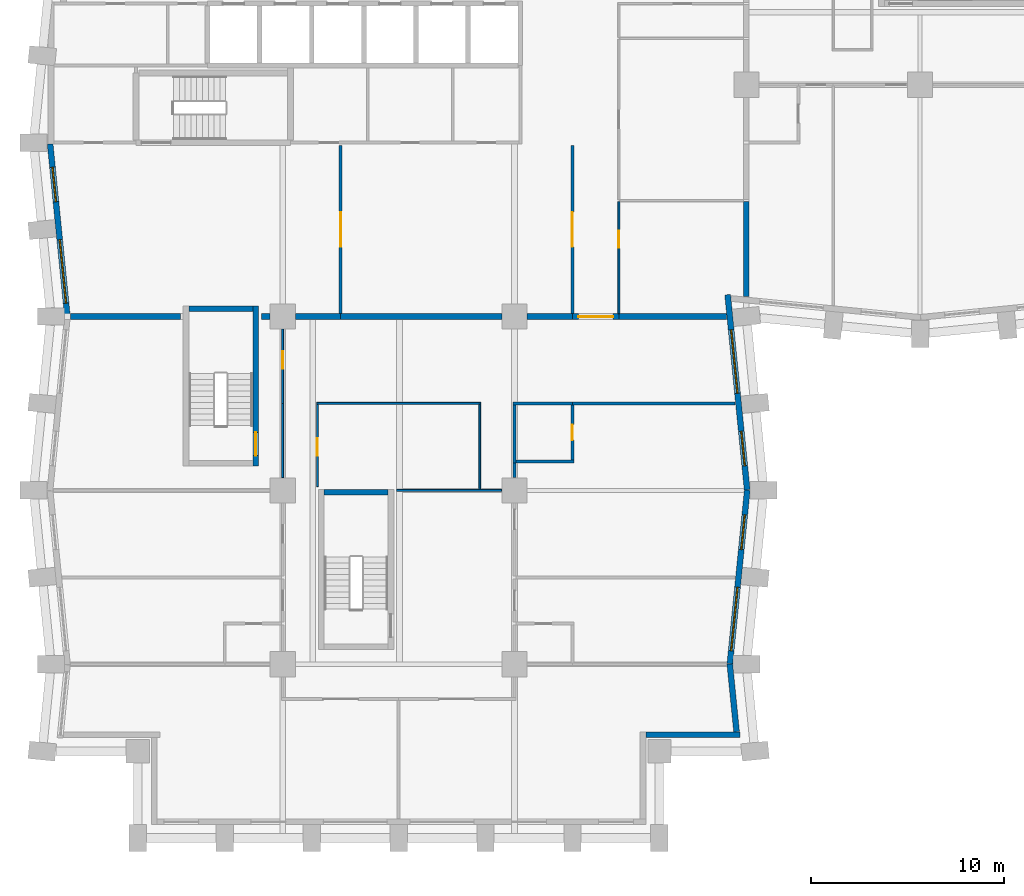
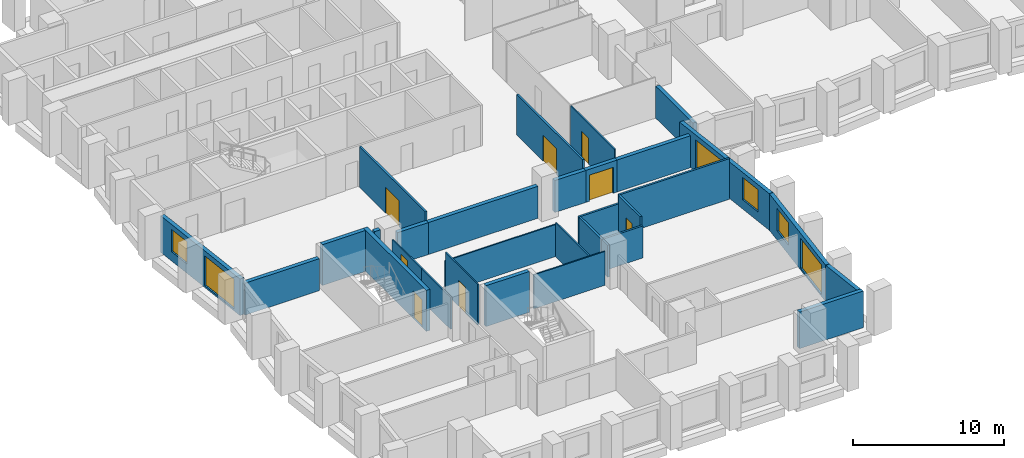
# One storey, part 4 of 12: 31 walls, 8 doors, 6 windows, 14 openings.
"""IFC4 building model written with IfcOpenShell, lengths in metres."""

from ifc_helpers import new_model, si_unit, direction, frame, frame_2d, origin, place, context, subcontext, project, spatial, rectangle, extrude, material, layer, layer_set, type_object, element, fill, save


model = new_model("IFC4")

# Units and contexts
model_context = context("Model", 3, precision=1e-05, world=origin(), true_north=direction((0.0, 1.0)))
body_context = subcontext(model_context, "Body", "Model", "MODEL_VIEW")
ifc_project = project(units=[si_unit("LENGTHUNIT", "METRE"), si_unit("AREAUNIT", "SQUARE_METRE"), si_unit("VOLUMEUNIT", "CUBIC_METRE"), si_unit("PLANEANGLEUNIT", "RADIAN"), si_unit("MASSUNIT", "GRAM", prefix="KILO")], contexts=[model_context])

# Site, building, storey
site_placement = place(None, origin())
site = spatial("IfcSite", under=ifc_project, at=site_placement, CompositionType="ELEMENT")
building_placement = place(site_placement, origin())
building = spatial("IfcBuilding", under=site, at=building_placement, Name="Brondeck Convention Tower", CompositionType="ELEMENT")
storey_placement = place(building_placement, frame((0.0, 0.0, 66.300048828125)))
storey = spatial("IfcBuildingStorey", under=building, at=storey_placement, Name="L14", CompositionType="ELEMENT", Elevation=66.300048828125)

# Walls
ifc_material_1 = material(Name="Concrete compartment wall C30/37", Category="concrete")
ifc_layer_1 = layer(ifc_material_1, 0.300048828125)
ifc_layer_set_1 = layer_set([ifc_layer_1], Name="Compartment wall 300")
wall_type_1 = type_object("IfcWallType", Name="Compartment wall 300", PredefinedType="PARTITIONING", material=ifc_layer_set_1)
wall_1_placement = place(storey_placement, frame((6.699951171875, 27.0, 0.0), z_axis=(0.0, 0.0, 1.0), x_axis=(-1.0, 0.0, 0.0)))
element("IfcWall", 1, at=wall_1_placement, inside=storey, type_object=wall_type_1, Name="FLR-L14-W035", PredefinedType="PARTITIONING", context=body_context, shape_type="SweptSolid", body=[
    extrude(rectangle(XDim=5.675048828125, YDim=0.300048828125, at=frame_2d((2.83740234375, 0.0))), origin(), (0.0, 0.0, 1.0), 2.579833984375),
])
wall_2_placement = place(storey_placement, frame((11.344970703125, 27.0, 0.0), z_axis=(0.0, 0.0, 1.0), x_axis=(-1.0, 0.0, 0.0)))
element("IfcWall", 2, at=wall_2_placement, inside=storey, type_object=wall_type_1, Name="FLR-L14-W036", PredefinedType="PARTITIONING", context=body_context, shape_type="SweptSolid", body=[
    extrude(rectangle(XDim=0.445068359375, YDim=0.300048828125, at=frame_2d((0.22265625, 0.0))), origin(), (0.0, 0.0, 1.0), 3.280029296875),
])
wall_3_placement = place(storey_placement, frame((15.0, 27.0, 0.0), z_axis=(0.0, 0.0, 1.0), x_axis=(-1.0, 0.0, 0.0)))
element("IfcWall", 3, at=wall_3_placement, inside=storey, type_object=wall_type_1, Name="FLR-L14-W037", PredefinedType="PARTITIONING", context=body_context, shape_type="SweptSolid", body=[
    extrude(rectangle(XDim=2.344970703125, YDim=0.300048828125, at=frame_2d((1.17236328125, 0.0))), origin(), (0.0, 0.0, 1.0), 2.579833984375),
])
wall_4_placement = place(storey_placement, frame((23.344970703125, 27.0, 0.0), z_axis=(0.0, 0.0, 1.0), x_axis=(-1.0, 0.0, 0.0)))
element("IfcWall", 4, at=wall_4_placement, inside=storey, type_object=wall_type_1, Name="FLR-L14-W038", PredefinedType="PARTITIONING", context=body_context, shape_type="SweptSolid", body=[
    extrude(rectangle(XDim=8.344970703125, YDim=0.300048828125, at=frame_2d((4.17236328125, 0.0))), origin(), (0.0, 0.0, 1.0), 2.579833984375),
])
wall_5_placement = place(storey_placement, frame((27.0, 27.0, 0.0), z_axis=(0.0, 0.0, 1.0), x_axis=(-1.0, 0.0, 0.0)))
element("IfcWall", 5, at=wall_5_placement, inside=storey, type_object=wall_type_1, Name="FLR-L14-W039", PredefinedType="PARTITIONING", context=body_context, shape_type="SweptSolid", body=[
    extrude(rectangle(XDim=2.344970703125, YDim=0.300048828125, at=frame_2d((1.17236328125, 0.0))), origin(), (0.0, 0.0, 1.0), 2.579833984375),
])

# Wall, opening, door
wall_6_placement = place(storey_placement, frame((29.39990234375, 27.0, 0.0), z_axis=(0.0, 0.0, 1.0), x_axis=(-1.0, 0.0, 0.0)))
wall_6 = element("IfcWall", 6, at=wall_6_placement, inside=storey, type_object=wall_type_1, Name="FLR-L14-W040", PredefinedType="PARTITIONING", context=body_context, shape_type="SweptSolid", body=[
    extrude(rectangle(XDim=2.39990234375, YDim=0.300048828125, at=frame_2d((1.199951171875, 0.0))), origin(), (0.0, 0.0, 1.0), 2.579833984375),
])
opening_1_placement = place(wall_6_placement, frame((0.300048828125, 0.0, 0.0)))
opening_1 = element("IfcOpeningElement", 7, at=opening_1_placement, cuts=wall_6, Name="Opening H3-042", PredefinedType="OPENING", context=body_context, shape_type="SweptSolid", body=[
    extrude(rectangle(XDim=1.800048828125, YDim=2.10009765625, at=frame_2d((0.89990234375, 1.050048828125))), frame((0.0, 0.159912109375, 0.0), z_axis=(0.0, -1.0, 0.0), x_axis=(1.0, 0.0, 0.0)), (0.0, 0.0, 1.0), 0.320068359375),
])
ifc_material_2 = material(Name="Steel fire door pair", Category="steel")
door_type_1 = type_object("IfcDoorType", Name="Fire door pair 1800", OperationType="DOUBLE_DOOR_SINGLE_SWING", PredefinedType="DOOR", material=ifc_material_2)
door_1_placement = place(opening_1_placement, origin())
door_1 = element("IfcDoor", 8, at=door_1_placement, inside=storey, type_object=door_type_1, Name="Door H3-042", OperationType="DOUBLE_DOOR_SINGLE_SWING", OverallHeight=2.10009765625, OverallWidth=1.800048828125, PredefinedType="DOOR", context=body_context, shape_type="SweptSolid", body=[
    extrude(rectangle(XDim=1.800048828125, YDim=2.10009765625, at=frame_2d((0.89990234375, 1.050048828125))), frame((0.0, 0.02490234375, 0.0), z_axis=(0.0, -1.0, 0.0), x_axis=(1.0, 0.0, 0.0)), (0.0, 0.0, 1.0), 0.050048828125),
])
fill(opening_1, door_1)

# Walls
wall_7_placement = place(storey_placement, frame((34.97509765625, 27.0, 0.0), z_axis=(0.0, 0.0, 1.0), x_axis=(-1.0, 0.0, 0.0)))
element("IfcWall", 9, at=wall_7_placement, inside=storey, type_object=wall_type_1, Name="FLR-L14-W041", PredefinedType="PARTITIONING", context=body_context, shape_type="SweptSolid", body=[
    extrude(rectangle(XDim=5.5751953125, YDim=0.300048828125, at=frame_2d((2.78759765625, 0.0))), origin(), (0.0, 0.0, 1.0), 2.579833984375),
])
wall_8_placement = place(storey_placement, frame((36.0, 32.949951171875, 0.0), z_axis=(0.0, 0.0, 1.0), x_axis=(0.0, -1.0, 0.0)))
element("IfcWall", 10, at=wall_8_placement, inside=storey, type_object=wall_type_1, Name="FLR-L14-W044", PredefinedType="PARTITIONING", context=body_context, shape_type="SweptSolid", body=[
    extrude(rectangle(XDim=4.925048828125, YDim=0.300048828125, at=frame_2d((2.46240234375, 0.0))), origin(), (0.0, 0.0, 1.0), 2.579833984375),
])
ifc_material_3 = material(Name="Precast concrete C50/60 bronze finish", Category="concrete")
ifc_layer_2 = layer(ifc_material_3, 0.070068359375, Name="Bronze precast facing")
ifc_material_4 = material(Name="Mineral wool")
ifc_layer_3 = layer(ifc_material_4, 0.159912109375, Name="Insulation")
ifc_material_5 = material(Name="Concrete C35/45", Category="concrete")
ifc_layer_4 = layer(ifc_material_5, 0.070068359375, Name="Backing")
ifc_layer_set_2 = layer_set([ifc_layer_2, ifc_layer_3, ifc_layer_4], Name="External infill wall, precast concrete C50/60 bronze facing")
wall_type_2 = type_object("IfcWallType", Name="External infill wall, precast concrete C50/60 bronze facing", PredefinedType="SOLIDWALL", material=ifc_layer_set_2)
wall_9_placement = place(storey_placement, frame((35.676513671875, 5.35009765625, 0.0), z_axis=(0.0, 0.0, 1.0), x_axis=(-1.0, 0.0, 0.0)))
element("IfcWall", 11, at=wall_9_placement, inside=storey, type_object=wall_type_2, Name="ENV-EW-L14-P0-NC-SEB0-02", PredefinedType="SOLIDWALL", context=body_context, shape_type="SweptSolid", body=[
    extrude(rectangle(XDim=4.87646484375, YDim=0.300048828125, at=frame_2d((2.438232421875, 0.0))), origin(), (0.0, 0.0, 1.0), 2.949951171875),
])
wall_10_placement = place(storey_placement, frame((35.144287109375, 9.014892578125, 0.0), z_axis=(0.0, 0.0, 1.0), x_axis=(0.099462600847, -0.995041301169, 0.0)))
element("IfcWall", 12, at=wall_10_placement, inside=storey, type_object=wall_type_2, Name="ENV-EW-L14-P0-B-E-04", PredefinedType="SOLIDWALL", context=body_context, shape_type="SweptSolid", body=[
    extrude(rectangle(XDim=3.52734375, YDim=0.300048828125, at=frame_2d((1.763671875, 0.0))), origin(), (0.0, 0.0, 1.0), 2.949951171875),
])

# Wall, openings, windows
wall_11_placement = place(storey_placement, frame((36.04736328125, 18.014892578125, 0.0), z_axis=(0.0, 0.0, 1.0), x_axis=(-0.099522457379, -0.995035316196, 0.0)))
wall_11 = element("IfcWall", 13, at=wall_11_placement, inside=storey, type_object=wall_type_2, Name="ENV-EW-L14-P0-B-E-03", PredefinedType="SOLIDWALL", context=body_context, shape_type="SweptSolid", body=[
    extrude(rectangle(XDim=9.030029296875, YDim=0.300048828125, at=frame_2d((4.51513671875, 0.0))), origin(), (0.0, 0.0, 1.0), 2.949951171875),
])
opening_2_placement = place(wall_11_placement, frame((1.291259765625, 0.0, 0.75)))
opening_2 = element("IfcOpeningElement", 14, at=opening_2_placement, cuts=wall_11, Name="Opening W10", PredefinedType="OPENING", context=body_context, shape_type="SweptSolid", body=[
    extrude(rectangle(XDim=1.800048828125, YDim=1.800048828125, at=frame_2d((0.89990234375, 0.89990234375))), frame((0.0, 0.159912109375, 0.0), z_axis=(0.0, -1.0, 0.0), x_axis=(1.0, 0.0, 0.0)), (0.0, 0.0, 1.0), 0.320068359375),
])
opening_3_placement = place(wall_11_placement, frame((5.063720703125, 0.0, 0.14990234375)))
opening_3 = element("IfcOpeningElement", 15, at=opening_3_placement, cuts=wall_11, Name="Opening W9", PredefinedType="OPENING", context=body_context, shape_type="SweptSolid", body=[
    extrude(rectangle(XDim=3.300048828125, YDim=2.39990234375, at=frame_2d((1.64990234375, 1.199951171875))), frame((0.0, 0.159912109375, 0.0), z_axis=(0.0, -1.0, 0.0), x_axis=(1.0, 0.0, 0.0)), (0.0, 0.0, 1.0), 0.320068359375),
])
ifc_material_6 = material(Name="Bronze tinted double glazing", Category="glass")
window_type_1 = type_object("IfcWindowType", Name="Glazed flute window, bronze tinted", PartitioningType="SINGLE_PANEL", PredefinedType="WINDOW", material=ifc_material_6)
window_1_placement = place(opening_3_placement, origin())
window_1 = element("IfcWindow", 16, at=window_1_placement, inside=storey, type_object=window_type_1, Name="ENV-WN-L14-P0-B-E-03", OverallHeight=2.39990234375, OverallWidth=3.300048828125, PartitioningType="SINGLE_PANEL", PredefinedType="WINDOW", context=body_context, shape_type="SweptSolid", body=[
    extrude(rectangle(XDim=3.300048828125, YDim=2.39990234375, at=frame_2d((1.64990234375, 1.199951171875))), frame((0.0, 0.030029296875, 0.0), z_axis=(0.0, -1.0, 0.0), x_axis=(1.0, 0.0, 0.0)), (0.0, 0.0, 1.0), 0.06005859375),
])
fill(opening_3, window_1)
window_type_2 = type_object("IfcWindowType", Name="Punched window, bronze tinted", PartitioningType="SINGLE_PANEL", PredefinedType="WINDOW", material=ifc_material_6)
window_2_placement = place(opening_2_placement, origin())
window_2 = element("IfcWindow", 17, at=window_2_placement, inside=storey, type_object=window_type_2, Name="ENV-WN-L14-P0-B-E-02", OverallHeight=1.800048828125, OverallWidth=1.800048828125, PartitioningType="SINGLE_PANEL", PredefinedType="WINDOW", context=body_context, shape_type="SweptSolid", body=[
    extrude(rectangle(XDim=1.800048828125, YDim=1.800048828125, at=frame_2d((0.89990234375, 0.89990234375))), frame((0.0, 0.030029296875, 0.0), z_axis=(0.0, -1.0, 0.0), x_axis=(1.0, 0.0, 0.0)), (0.0, 0.0, 1.0), 0.06005859375),
])
fill(opening_2, window_2)

wall_12_placement = place(storey_placement, frame((35.03271484375, 28.131591796875, 0.0), z_axis=(0.0, 0.0, 1.0), x_axis=(0.099487051997, -0.995038856771, 0.0)))
wall_12 = element("IfcWall", 18, at=wall_12_placement, inside=storey, type_object=wall_type_2, Name="ENV-EW-L14-P0-B-E-01", PredefinedType="SOLIDWALL", context=body_context, shape_type="SweptSolid", body=[
    extrude(rectangle(XDim=10.152099609375, YDim=0.300048828125, at=frame_2d((5.076171875, 0.0))), origin(), (0.0, 0.0, 1.0), 2.949951171875),
])
opening_4_placement = place(wall_12_placement, frame((1.83349609375, 0.0, 0.14990234375)))
opening_4 = element("IfcOpeningElement", 19, at=opening_4_placement, cuts=wall_12, Name="Opening W9", PredefinedType="OPENING", context=body_context, shape_type="SweptSolid", body=[
    extrude(rectangle(XDim=3.300048828125, YDim=2.39990234375, at=frame_2d((1.64990234375, 1.199951171875))), frame((0.0, 0.159912109375, 0.0), z_axis=(0.0, -1.0, 0.0), x_axis=(1.0, 0.0, 0.0)), (0.0, 0.0, 1.0), 0.320068359375),
])
opening_5_placement = place(wall_12_placement, frame((7.10595703125, 0.0, 0.75)))
opening_5 = element("IfcOpeningElement", 20, at=opening_5_placement, cuts=wall_12, Name="Opening W10", PredefinedType="OPENING", context=body_context, shape_type="SweptSolid", body=[
    extrude(rectangle(XDim=1.800048828125, YDim=1.800048828125, at=frame_2d((0.89990234375, 0.89990234375))), frame((0.0, 0.159912109375, 0.0), z_axis=(0.0, -1.0, 0.0), x_axis=(1.0, 0.0, 0.0)), (0.0, 0.0, 1.0), 0.320068359375),
])
window_3_placement = place(opening_4_placement, origin())
window_3 = element("IfcWindow", 21, at=window_3_placement, inside=storey, type_object=window_type_1, Name="ENV-WN-L14-P0-B-E-00", OverallHeight=2.39990234375, OverallWidth=3.300048828125, PartitioningType="SINGLE_PANEL", PredefinedType="WINDOW", context=body_context, shape_type="SweptSolid", body=[
    extrude(rectangle(XDim=3.300048828125, YDim=2.39990234375, at=frame_2d((1.64990234375, 1.199951171875))), frame((0.0, 0.030029296875, 0.0), z_axis=(0.0, -1.0, 0.0), x_axis=(1.0, 0.0, 0.0)), (0.0, 0.0, 1.0), 0.06005859375),
])
fill(opening_4, window_3)
window_4_placement = place(opening_5_placement, origin())
window_4 = element("IfcWindow", 22, at=window_4_placement, inside=storey, type_object=window_type_2, Name="ENV-WN-L14-P0-B-E-01", OverallHeight=1.800048828125, OverallWidth=1.800048828125, PartitioningType="SINGLE_PANEL", PredefinedType="WINDOW", context=body_context, shape_type="SweptSolid", body=[
    extrude(rectangle(XDim=1.800048828125, YDim=1.800048828125, at=frame_2d((0.89990234375, 0.89990234375))), frame((0.0, 0.030029296875, 0.0), z_axis=(0.0, -1.0, 0.0), x_axis=(1.0, 0.0, 0.0)), (0.0, 0.0, 1.0), 0.06005859375),
])
fill(opening_5, window_4)

wall_13_placement = place(storey_placement, frame((0.855712890625, 26.985107421875, 0.0), z_axis=(0.0, 0.0, 1.0), x_axis=(-0.099503719021, 0.99503719021, 0.0)))
wall_13 = element("IfcWall", 23, at=wall_13_placement, inside=storey, type_object=wall_type_2, Name="ENV-EW-L14-P0-B-W-06", PredefinedType="SOLIDWALL", context=body_context, shape_type="SweptSolid", body=[
    extrude(rectangle(XDim=8.994873046875, YDim=0.300048828125, at=frame_2d((4.49755859375, 0.0))), origin(), (0.0, 0.0, 1.0), 2.949951171875),
])
opening_6_placement = place(wall_13_placement, frame((0.711181640625, 0.0, 0.14990234375)))
opening_6 = element("IfcOpeningElement", 24, at=opening_6_placement, cuts=wall_13, Name="Opening W9", PredefinedType="OPENING", context=body_context, shape_type="SweptSolid", body=[
    extrude(rectangle(XDim=3.300048828125, YDim=2.39990234375, at=frame_2d((1.64990234375, 1.199951171875))), frame((0.0, 0.159912109375, 0.0), z_axis=(0.0, -1.0, 0.0), x_axis=(1.0, 0.0, 0.0)), (0.0, 0.0, 1.0), 0.320068359375),
])
opening_7_placement = place(wall_13_placement, frame((5.983642578125, 0.0, 0.75)))
opening_7 = element("IfcOpeningElement", 25, at=opening_7_placement, cuts=wall_13, Name="Opening W10", PredefinedType="OPENING", context=body_context, shape_type="SweptSolid", body=[
    extrude(rectangle(XDim=1.800048828125, YDim=1.800048828125, at=frame_2d((0.89990234375, 0.89990234375))), frame((0.0, 0.159912109375, 0.0), z_axis=(0.0, -1.0, 0.0), x_axis=(1.0, 0.0, 0.0)), (0.0, 0.0, 1.0), 0.320068359375),
])
window_5_placement = place(opening_6_placement, origin())
window_5 = element("IfcWindow", 26, at=window_5_placement, inside=storey, type_object=window_type_1, Name="ENV-WN-L14-P0-B-W-07", OverallHeight=2.39990234375, OverallWidth=3.300048828125, PartitioningType="SINGLE_PANEL", PredefinedType="WINDOW", context=body_context, shape_type="SweptSolid", body=[
    extrude(rectangle(XDim=3.300048828125, YDim=2.39990234375, at=frame_2d((1.64990234375, 1.199951171875))), frame((0.0, 0.030029296875, 0.0), z_axis=(0.0, -1.0, 0.0), x_axis=(1.0, 0.0, 0.0)), (0.0, 0.0, 1.0), 0.06005859375),
])
fill(opening_6, window_5)
window_6_placement = place(opening_7_placement, origin())
window_6 = element("IfcWindow", 27, at=window_6_placement, inside=storey, type_object=window_type_2, Name="ENV-WN-L14-P0-B-W-06", OverallHeight=1.800048828125, OverallWidth=1.800048828125, PartitioningType="SINGLE_PANEL", PredefinedType="WINDOW", context=body_context, shape_type="SweptSolid", body=[
    extrude(rectangle(XDim=1.800048828125, YDim=1.800048828125, at=frame_2d((0.89990234375, 0.89990234375))), frame((0.0, 0.030029296875, 0.0), z_axis=(0.0, -1.0, 0.0), x_axis=(1.0, 0.0, 0.0)), (0.0, 0.0, 1.0), 0.06005859375),
])
fill(opening_7, window_6)

# Walls
ifc_material_7 = material(Name="Double gypsum board acoustic wall")
ifc_layer_5 = layer(ifc_material_7, 0.14990234375)
ifc_layer_set_3 = layer_set([ifc_layer_5], Name="Guest room party wall 150")
wall_type_3 = type_object("IfcWallType", Name="Guest room party wall 150", PredefinedType="PARTITIONING", material=ifc_layer_set_3)
wall_14_placement = place(storey_placement, frame((24.0, 19.425048828125, 0.0), z_axis=(0.0, 0.0, 1.0), x_axis=(0.0, -1.0, 0.0)))
element("IfcWall", 28, at=wall_14_placement, inside=storey, type_object=wall_type_3, Name="FLR-L14-W025", PredefinedType="PARTITIONING", context=body_context, shape_type="SweptSolid", body=[
    extrude(rectangle(XDim=0.77001953125, YDim=0.14990234375, at=frame_2d((0.385009765625, 0.0))), origin(), (0.0, 0.0, 1.0), 2.579833984375),
])
wall_15_placement = place(storey_placement, frame((24.074951171875, 19.5, 0.0), z_axis=(0.0, 0.0, 1.0), x_axis=(1.0, 0.0, 0.0)))
element("IfcWall", 29, at=wall_15_placement, inside=storey, type_object=wall_type_3, Name="FLR-L14-W026", PredefinedType="PARTITIONING", context=body_context, shape_type="SweptSolid", body=[
    extrude(rectangle(XDim=3.0, YDim=0.14990234375, at=frame_2d((1.5, 0.0))), origin(), (0.0, 0.0, 1.0), 2.579833984375),
])

# Wall, opening, door
wall_16_placement = place(storey_placement, frame((27.0, 19.574951171875, 0.0), z_axis=(0.0, 0.0, 1.0), x_axis=(0.0, 1.0, 0.0)))
wall_16 = element("IfcWall", 30, at=wall_16_placement, inside=storey, type_object=wall_type_3, Name="FLR-L14-W027", PredefinedType="PARTITIONING", context=body_context, shape_type="SweptSolid", body=[
    extrude(rectangle(XDim=2.85009765625, YDim=0.14990234375, at=frame_2d((1.425048828125, 0.0))), origin(), (0.0, 0.0, 1.0), 3.280029296875),
])
opening_8_placement = place(wall_16_placement, frame((1.02490234375, 0.0, 0.0)))
opening_8 = element("IfcOpeningElement", 31, at=opening_8_placement, cuts=wall_16, Name="Opening H3-027", PredefinedType="OPENING", context=body_context, shape_type="SweptSolid", body=[
    extrude(rectangle(XDim=0.800048828125, YDim=2.10009765625, at=frame_2d((0.39990234375, 1.050048828125))), frame((0.0, 0.0849609375, 0.0), z_axis=(0.0, -1.0, 0.0), x_axis=(1.0, 0.0, 0.0)), (0.0, 0.0, 1.0), 0.169921875),
])
ifc_material_8 = material(Name="Solid timber door leaf", Category="wood")
door_type_2 = type_object("IfcDoorType", Name="En-suite door 800", OperationType="NOTDEFINED", PredefinedType="DOOR", material=ifc_material_8)
door_2_placement = place(opening_8_placement, origin())
door_2 = element("IfcDoor", 32, at=door_2_placement, inside=storey, type_object=door_type_2, Name="Door H3-027", OperationType="SINGLE_SWING_RIGHT", OverallHeight=2.10009765625, OverallWidth=0.800048828125, PredefinedType="DOOR", context=body_context, shape_type="SweptSolid", body=[
    extrude(rectangle(XDim=0.800048828125, YDim=2.10009765625, at=frame_2d((0.39990234375, 1.050048828125))), frame((0.0, 0.02490234375, 0.0), z_axis=(0.0, -1.0, 0.0), x_axis=(1.0, 0.0, 0.0)), (0.0, 0.0, 1.0), 0.050048828125),
])
fill(opening_8, door_2)

# Walls
wall_17_placement = place(storey_placement, frame((24.0, 22.425048828125, 0.0), z_axis=(0.0, 0.0, 1.0), x_axis=(0.0, -1.0, 0.0)))
element("IfcWall", 33, at=wall_17_placement, inside=storey, type_object=wall_type_3, Name="FLR-L14-W028", PredefinedType="PARTITIONING", context=body_context, shape_type="SweptSolid", body=[
    extrude(rectangle(XDim=2.9951171875, YDim=0.14990234375, at=frame_2d((1.49755859375, 0.0))), origin(), (0.0, 0.0, 1.0), 2.579833984375),
])
wall_18_placement = place(storey_placement, frame((27.0, 22.5, 0.0), z_axis=(0.0, 0.0, 1.0), x_axis=(-1.0, 0.0, 0.0)))
element("IfcWall", 34, at=wall_18_placement, inside=storey, type_object=wall_type_3, Name="FLR-L14-W033", PredefinedType="PARTITIONING", context=body_context, shape_type="SweptSolid", body=[
    extrude(rectangle(XDim=3.074951171875, YDim=0.14990234375, at=frame_2d((1.53759765625, 0.0))), origin(), (0.0, 0.0, 1.0), 2.579833984375),
])
wall_19_placement = place(storey_placement, frame((35.425048828125, 22.5, 0.0), z_axis=(0.0, 0.0, 1.0), x_axis=(-1.0, 0.0, 0.0)))
element("IfcWall", 35, at=wall_19_placement, inside=storey, type_object=wall_type_3, Name="FLR-L14-W034", PredefinedType="PARTITIONING", context=body_context, shape_type="SweptSolid", body=[
    extrude(rectangle(XDim=8.425048828125, YDim=0.14990234375, at=frame_2d((4.21240234375, 0.0))), origin(), (0.0, 0.0, 1.0), 3.280029296875),
])

# Wall, opening, door
wall_20_placement = place(storey_placement, frame((27.0, 27.14990234375, 0.0), z_axis=(0.0, 0.0, 1.0), x_axis=(0.0, 1.0, 0.0)))
wall_20 = element("IfcWall", 36, at=wall_20_placement, inside=storey, type_object=wall_type_3, Name="FLR-L14-W042", PredefinedType="PARTITIONING", context=body_context, shape_type="SweptSolid", body=[
    extrude(rectangle(XDim=8.7001953125, YDim=0.14990234375, at=frame_2d((4.35009765625, 0.0))), origin(), (0.0, 0.0, 1.0), 3.280029296875),
])
opening_9_placement = place(wall_20_placement, frame((3.449951171875, 0.0, 0.0)))
opening_9 = element("IfcOpeningElement", 37, at=opening_9_placement, cuts=wall_20, Name="Opening H3-039", PredefinedType="OPENING", context=body_context, shape_type="SweptSolid", body=[
    extrude(rectangle(XDim=1.800048828125, YDim=2.10009765625, at=frame_2d((0.89990234375, 1.050048828125))), frame((0.0, 0.0849609375, 0.0), z_axis=(0.0, -1.0, 0.0), x_axis=(1.0, 0.0, 0.0)), (0.0, 0.0, 1.0), 0.169921875),
])
ifc_material_9 = material(Name="Glazed timber double door", Category="wood")
door_type_3 = type_object("IfcDoorType", Name="Double door 1800", OperationType="DOUBLE_DOOR_SINGLE_SWING", PredefinedType="DOOR", material=ifc_material_9)
door_3_placement = place(opening_9_placement, origin())
door_3 = element("IfcDoor", 38, at=door_3_placement, inside=storey, type_object=door_type_3, Name="Door H3-039", OperationType="DOUBLE_DOOR_SINGLE_SWING", OverallHeight=2.10009765625, OverallWidth=1.800048828125, PredefinedType="DOOR", context=body_context, shape_type="SweptSolid", body=[
    extrude(rectangle(XDim=1.800048828125, YDim=2.10009765625, at=frame_2d((0.89990234375, 1.050048828125))), frame((0.0, 0.02490234375, 0.0), z_axis=(0.0, -1.0, 0.0), x_axis=(1.0, 0.0, 0.0)), (0.0, 0.0, 1.0), 0.050048828125),
])
fill(opening_9, door_3)

wall_21_placement = place(storey_placement, frame((15.0, 27.14990234375, 0.0), z_axis=(0.0, 0.0, 1.0), x_axis=(0.0, 1.0, 0.0)))
wall_21 = element("IfcWall", 39, at=wall_21_placement, inside=storey, type_object=wall_type_3, Name="FLR-L14-W046", PredefinedType="PARTITIONING", context=body_context, shape_type="SweptSolid", body=[
    extrude(rectangle(XDim=8.7001953125, YDim=0.14990234375, at=frame_2d((4.35009765625, 0.0))), origin(), (0.0, 0.0, 1.0), 3.280029296875),
])
opening_10_placement = place(wall_21_placement, frame((3.449951171875, 0.0, 0.0)))
opening_10 = element("IfcOpeningElement", 40, at=opening_10_placement, cuts=wall_21, Name="Opening H3-040", PredefinedType="OPENING", context=body_context, shape_type="SweptSolid", body=[
    extrude(rectangle(XDim=1.800048828125, YDim=2.10009765625, at=frame_2d((0.89990234375, 1.050048828125))), frame((0.0, 0.0849609375, 0.0), z_axis=(0.0, -1.0, 0.0), x_axis=(1.0, 0.0, 0.0)), (0.0, 0.0, 1.0), 0.169921875),
])
door_4_placement = place(opening_10_placement, origin())
door_4 = element("IfcDoor", 41, at=door_4_placement, inside=storey, type_object=door_type_3, Name="Door H3-040", OperationType="DOUBLE_DOOR_SINGLE_SWING", OverallHeight=2.10009765625, OverallWidth=1.800048828125, PredefinedType="DOOR", context=body_context, shape_type="SweptSolid", body=[
    extrude(rectangle(XDim=1.800048828125, YDim=2.10009765625, at=frame_2d((0.89990234375, 1.050048828125))), frame((0.0, 0.02490234375, 0.0), z_axis=(0.0, -1.0, 0.0), x_axis=(1.0, 0.0, 0.0)), (0.0, 0.0, 1.0), 0.050048828125),
])
fill(opening_10, door_4)

# Walls
ifc_material_10 = material(Name="Gypsum board partition on steel studs", Category="steel")
ifc_layer_6 = layer(ifc_material_10, 0.10009765625)
ifc_layer_set_4 = layer_set([ifc_layer_6], Name="Room partition 100")
wall_type_4 = type_object("IfcWallType", Name="Room partition 100", PredefinedType="PARTITIONING", material=ifc_layer_set_4)
wall_22_placement = place(storey_placement, frame((23.330078125, 18.0, 0.0), z_axis=(0.0, 0.0, 1.0), x_axis=(-1.0, 0.0, 0.0)))
element("IfcWall", 42, at=wall_22_placement, inside=storey, type_object=wall_type_4, Name="FLR-L14-W023", PredefinedType="PARTITIONING", context=body_context, shape_type="SweptSolid", body=[
    extrude(rectangle(XDim=5.43017578125, YDim=0.10009765625, at=frame_2d((2.715087890625, 0.0))), origin(), (0.0, 0.0, 1.0), 2.72998046875),
])
wall_23_placement = place(storey_placement, frame((22.199951171875, 18.050048828125, 0.0), z_axis=(0.0, 0.0, 1.0), x_axis=(0.0, 1.0, 0.0)))
element("IfcWall", 43, at=wall_23_placement, inside=storey, type_object=wall_type_4, Name="FLR-L14-W024", PredefinedType="PARTITIONING", context=body_context, shape_type="SweptSolid", body=[
    extrude(rectangle(XDim=4.39990234375, YDim=0.10009765625, at=frame_2d((2.199951171875, 0.0))), origin(), (0.0, 0.0, 1.0), 2.72998046875),
])

# Wall, opening, door
wall_24_placement = place(storey_placement, frame((13.800048828125, 22.449951171875, 0.0), z_axis=(0.0, 0.0, 1.0), x_axis=(0.0, -1.0, 0.0)))
wall_24 = element("IfcWall", 44, at=wall_24_placement, inside=storey, type_object=wall_type_4, Name="FLR-L14-W029", PredefinedType="PARTITIONING", context=body_context, shape_type="SweptSolid", body=[
    extrude(rectangle(XDim=4.25, YDim=0.10009765625, at=frame_2d((2.125, 0.0))), origin(), (0.0, 0.0, 1.0), 3.280029296875),
])
opening_11_placement = place(wall_24_placement, frame((1.75, 0.0, 0.0)))
opening_11 = element("IfcOpeningElement", 45, at=opening_11_placement, cuts=wall_24, Name="Opening H3-030", PredefinedType="OPENING", context=body_context, shape_type="SweptSolid", body=[
    extrude(rectangle(XDim=0.89990234375, YDim=2.10009765625, at=frame_2d((0.449951171875, 1.050048828125))), frame((0.0, 0.06005859375, 0.0), z_axis=(0.0, -1.0, 0.0), x_axis=(1.0, 0.0, 0.0)), (0.0, 0.0, 1.0), 0.1201171875),
])
door_type_4 = type_object("IfcDoorType", Name="Single door 900", OperationType="NOTDEFINED", PredefinedType="DOOR", material=ifc_material_8)
door_5_placement = place(opening_11_placement, origin())
door_5 = element("IfcDoor", 46, at=door_5_placement, inside=storey, type_object=door_type_4, Name="Door H3-030", OperationType="SINGLE_SWING_LEFT", OverallHeight=2.10009765625, OverallWidth=0.89990234375, PredefinedType="DOOR", context=body_context, shape_type="SweptSolid", body=[
    extrude(rectangle(XDim=0.89990234375, YDim=2.10009765625, at=frame_2d((0.449951171875, 1.050048828125))), frame((0.0, 0.02490234375, 0.0), z_axis=(0.0, -1.0, 0.0), x_axis=(1.0, 0.0, 0.0)), (0.0, 0.0, 1.0), 0.050048828125),
])
fill(opening_11, door_5)

# Wall
wall_25_placement = place(storey_placement, frame((12.0, 22.5, 0.0), z_axis=(0.0, 0.0, 1.0), x_axis=(0.0, -1.0, 0.0)))
element("IfcWall", 47, at=wall_25_placement, inside=storey, type_object=wall_type_4, Name="FLR-L14-W030", PredefinedType="PARTITIONING", context=body_context, shape_type="SweptSolid", body=[
    extrude(rectangle(XDim=3.844970703125, YDim=0.10009765625, at=frame_2d((1.92236328125, 0.0))), origin(), (0.0, 0.0, 1.0), 2.579833984375),
])

# Wall, opening, door
wall_26_placement = place(storey_placement, frame((12.0, 26.344970703125, 0.0), z_axis=(0.0, 0.0, 1.0), x_axis=(0.0, -1.0, 0.0)))
wall_26 = element("IfcWall", 48, at=wall_26_placement, inside=storey, type_object=wall_type_4, Name="FLR-L14-W031", PredefinedType="PARTITIONING", context=body_context, shape_type="SweptSolid", body=[
    extrude(rectangle(XDim=3.844970703125, YDim=0.10009765625, at=frame_2d((1.92236328125, 0.0))), origin(), (0.0, 0.0, 1.0), 2.579833984375),
])
opening_12_placement = place(wall_26_placement, frame((1.14501953125, 0.0, 0.0)))
opening_12 = element("IfcOpeningElement", 49, at=opening_12_placement, cuts=wall_26, Name="Opening H3-022", PredefinedType="OPENING", context=body_context, shape_type="SweptSolid", body=[
    extrude(rectangle(XDim=0.89990234375, YDim=2.10009765625, at=frame_2d((0.449951171875, 1.050048828125))), frame((0.0, 0.06005859375, 0.0), z_axis=(0.0, -1.0, 0.0), x_axis=(1.0, 0.0, 0.0)), (0.0, 0.0, 1.0), 0.1201171875),
])
door_6_placement = place(opening_12_placement, origin())
door_6 = element("IfcDoor", 50, at=door_6_placement, inside=storey, type_object=door_type_4, Name="Door H3-022", OperationType="SINGLE_SWING_LEFT", OverallHeight=2.10009765625, OverallWidth=0.89990234375, PredefinedType="DOOR", context=body_context, shape_type="SweptSolid", body=[
    extrude(rectangle(XDim=0.89990234375, YDim=2.10009765625, at=frame_2d((0.449951171875, 1.050048828125))), frame((0.0, 0.02490234375, 0.0), z_axis=(0.0, -1.0, 0.0), x_axis=(1.0, 0.0, 0.0)), (0.0, 0.0, 1.0), 0.050048828125),
])
fill(opening_12, door_6)

# Wall
wall_27_placement = place(storey_placement, frame((22.25, 22.5, 0.0), z_axis=(0.0, 0.0, 1.0), x_axis=(-1.0, 0.0, 0.0)))
element("IfcWall", 51, at=wall_27_placement, inside=storey, type_object=wall_type_4, Name="FLR-L14-W032", PredefinedType="PARTITIONING", context=body_context, shape_type="SweptSolid", body=[
    extrude(rectangle(XDim=8.5, YDim=0.10009765625, at=frame_2d((4.25, 0.0))), origin(), (0.0, 0.0, 1.0), 2.579833984375),
])

# Wall, opening, door
wall_28_placement = place(storey_placement, frame((29.39990234375, 32.949951171875, 0.0), z_axis=(0.0, 0.0, 1.0), x_axis=(0.0, -1.0, 0.0)))
wall_28 = element("IfcWall", 52, at=wall_28_placement, inside=storey, type_object=wall_type_4, Name="FLR-L14-W043", PredefinedType="PARTITIONING", context=body_context, shape_type="SweptSolid", body=[
    extrude(rectangle(XDim=5.800048828125, YDim=0.10009765625, at=frame_2d((2.89990234375, 0.0))), origin(), (0.0, 0.0, 1.0), 3.280029296875),
])
opening_13_placement = place(wall_28_placement, frame((1.5, 0.0, 0.0)))
opening_13 = element("IfcOpeningElement", 53, at=opening_13_placement, cuts=wall_28, Name="Opening H3-038", PredefinedType="OPENING", context=body_context, shape_type="SweptSolid", body=[
    extrude(rectangle(XDim=0.89990234375, YDim=2.10009765625, at=frame_2d((0.449951171875, 1.050048828125))), frame((0.0, 0.06005859375, 0.0), z_axis=(0.0, -1.0, 0.0), x_axis=(1.0, 0.0, 0.0)), (0.0, 0.0, 1.0), 0.1201171875),
])
door_7_placement = place(opening_13_placement, origin())
door_7 = element("IfcDoor", 54, at=door_7_placement, inside=storey, type_object=door_type_4, Name="Door H3-038", OperationType="SINGLE_SWING_LEFT", OverallHeight=2.10009765625, OverallWidth=0.89990234375, PredefinedType="DOOR", context=body_context, shape_type="SweptSolid", body=[
    extrude(rectangle(XDim=0.89990234375, YDim=2.10009765625, at=frame_2d((0.449951171875, 1.050048828125))), frame((0.0, 0.02490234375, 0.0), z_axis=(0.0, -1.0, 0.0), x_axis=(1.0, 0.0, 0.0)), (0.0, 0.0, 1.0), 0.050048828125),
])
fill(opening_13, door_7)

# Walls
ifc_material_11 = material(Name="Concrete C80/95", Category="concrete")
ifc_layer_7 = layer(ifc_material_11, 0.300048828125)
ifc_layer_set_5 = layer_set([ifc_layer_7], Name="Stair enclosure wall 300 Concrete C80/95")
wall_type_5 = type_object("IfcWallType", Name="Stair enclosure wall 300 Concrete C80/95", PredefinedType="SHEAR", material=ifc_layer_set_5)
for number, where, z_axis, x_axis, name in (
    (55, (14.14990234375, 17.89990234375, 0.0), (0.0, 0.0, 1.0), (1.0, 0.0, 0.0), "L14 core wall"),
    (56, (7.14990234375, 27.39990234375, 0.0), (0.0, 0.0, 1.0), (1.0, 0.0, 0.0), "L14 core wall"),
):
    element("IfcWall", number, at=place(storey_placement, frame(where, z_axis=z_axis, x_axis=x_axis)), inside=storey, type_object=wall_type_5, Name=name, PredefinedType="SHEAR", context=body_context, shape_type="SweptSolid", body=[
        extrude(rectangle(XDim=3.300048828125, YDim=0.300048828125, at=frame_2d((1.64990234375, 0.0))), origin(), (0.0, 0.0, 1.0), 3.300048828125),
    ])

# Wall, opening, door
wall_29_placement = place(storey_placement, frame((10.60009765625, 19.25, 0.0), z_axis=(0.0, 0.0, 1.0), x_axis=(0.0, 1.0, 0.0)))
wall_29 = element("IfcWall", 57, at=wall_29_placement, inside=storey, type_object=wall_type_5, Name="L14 core wall", PredefinedType="SHEAR", context=body_context, shape_type="SweptSolid", body=[
    extrude(rectangle(XDim=8.300048828125, YDim=0.300048828125, at=frame_2d((4.14990234375, 0.0))), origin(), (0.0, 0.0, 1.0), 3.300048828125),
])
opening_14_placement = place(wall_29_placement, frame((0.550048828125, 0.0, 0.0)))
opening_14 = element("IfcOpeningElement", 58, at=opening_14_placement, cuts=wall_29, Name="Opening C10-20", PredefinedType="OPENING", context=body_context, shape_type="SweptSolid", body=[
    extrude(rectangle(XDim=1.199951171875, YDim=2.199951171875, at=frame_2d((0.60009765625, 1.10009765625))), frame((0.0, 0.159912109375, 0.0), z_axis=(0.0, -1.0, 0.0), x_axis=(1.0, 0.0, 0.0)), (0.0, 0.0, 1.0), 0.320068359375),
])
ifc_material_12 = material(Name="Steel fire door", Category="steel")
door_type_5 = type_object("IfcDoorType", Name="Stair door 1200x2200 EI 90", OperationType="NOTDEFINED", PredefinedType="DOOR", material=ifc_material_12)
door_8_placement = place(opening_14_placement, origin())
door_8 = element("IfcDoor", 59, at=door_8_placement, inside=storey, type_object=door_type_5, Name="L14 Stair door ST-BE", OperationType="SINGLE_SWING_RIGHT", OverallHeight=2.199951171875, OverallWidth=1.199951171875, PredefinedType="DOOR", context=body_context, shape_type="SweptSolid", body=[
    extrude(rectangle(XDim=1.199951171875, YDim=2.199951171875, at=frame_2d((0.60009765625, 1.10009765625))), frame((0.0, 0.02490234375, 0.0), z_axis=(0.0, -1.0, 0.0), x_axis=(1.0, 0.0, 0.0)), (0.0, 0.0, 1.0), 0.050048828125),
])
fill(opening_14, door_8)

save(model, "model.ifc")
